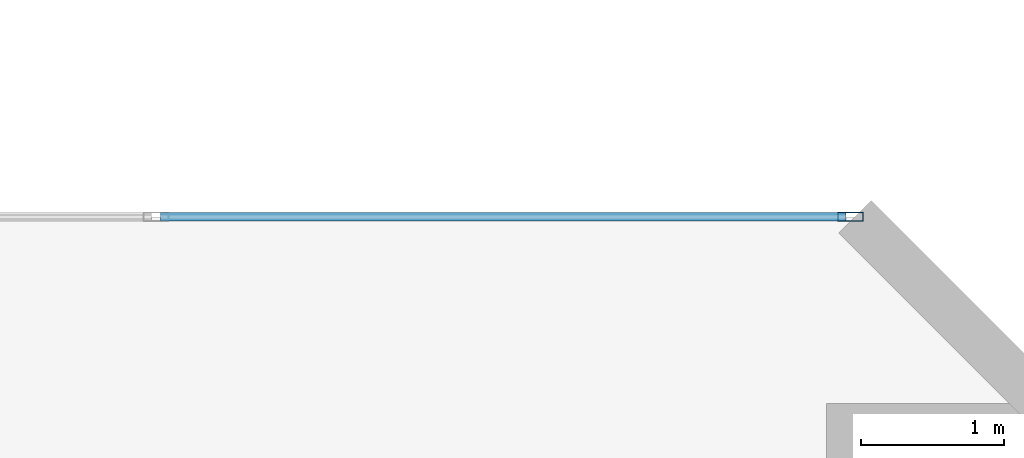
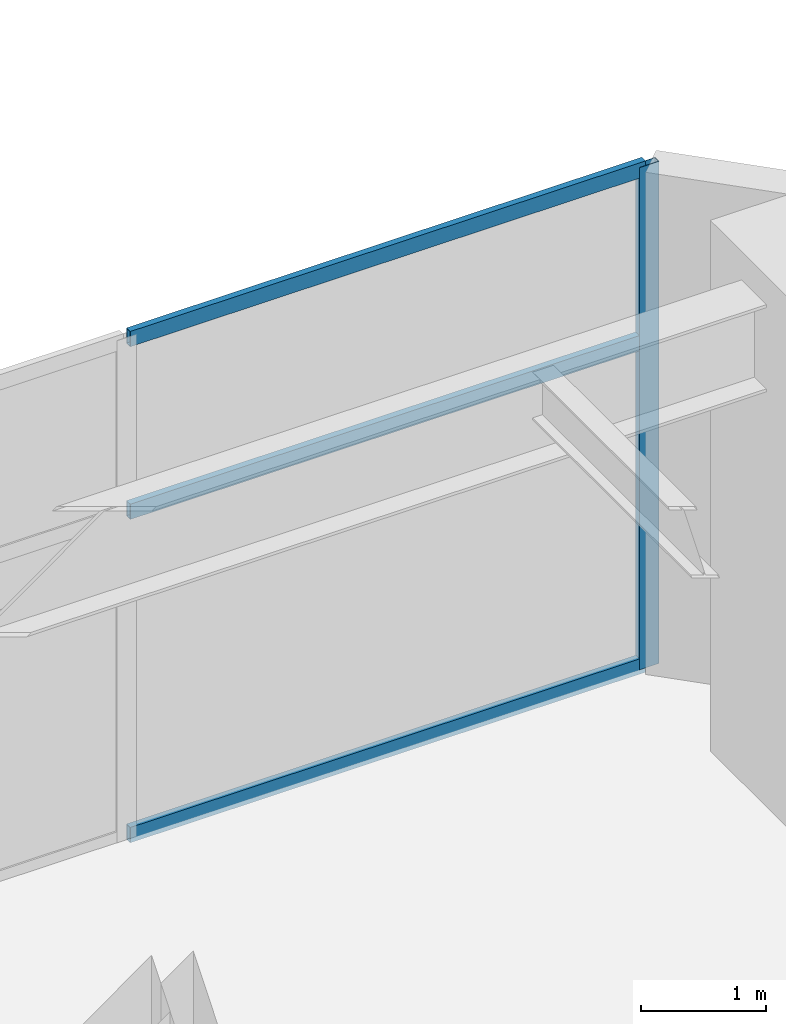
# One storey, part 11 of 22: 4 members, 1 element without a shape of its own.
"""IFC4 building model written with IfcOpenShell, lengths in metres."""

from ifc_helpers import new_model, si_unit, direction, frame, origin, origin_2d, place, context, subcontext, project, spatial, hollow_rectangle, extrude, material, layer, layer_set, material_profile, profile_set, type_object, element, aggregate, save


model = new_model("IFC4")

# Units and contexts
model_context = context("Model", 3, precision=1e-05, world=origin(), true_north=direction((0.0, 1.0)))
body_context = subcontext(model_context, "Body", "Model", "MODEL_VIEW")
ifc_project = project(units=[si_unit("LENGTHUNIT", "METRE"), si_unit("AREAUNIT", "SQUARE_METRE"), si_unit("VOLUMEUNIT", "CUBIC_METRE"), si_unit("PLANEANGLEUNIT", "RADIAN"), si_unit("MASSUNIT", "GRAM", prefix="KILO")], contexts=[model_context])

# Site, building, storey
site_placement = place(None, origin())
site = spatial("IfcSite", under=ifc_project, at=site_placement, CompositionType="ELEMENT")
building_placement = place(site_placement, origin())
building = spatial("IfcBuilding", under=site, at=building_placement, Name="Mawjaban Terraces University", CompositionType="ELEMENT")
storey_placement = place(building_placement, frame((0.0, 0.0, 5.199951171875)))
storey = spatial("IfcBuildingStorey", under=building, at=storey_placement, Name="L01", CompositionType="ELEMENT", Elevation=5.199951171875)

# Curtain wall, members
ifc_material_1 = material(Name="Anodised aluminium 6063-T6 and solar-control low-E glass", Category="aluminium")
ifc_layer = layer(ifc_material_1, 0.179931640625)
ifc_layer_set = layer_set([ifc_layer], Name="Anodised aluminium 6063-T6 and solar-control low-E glass")
curtain_wall_type = type_object("IfcCurtainWallType", Name="CWSystem_01_PlazaFoyer", PredefinedType="NOTDEFINED", material=ifc_layer_set)
curtain_wall_placement = place(storey_placement, origin())
curtain_wall = element("IfcCurtainWall", 1, at=curtain_wall_placement, inside=storey, type_object=curtain_wall_type, Name="L01 Curtain Wall CW-01 Run 5.1", PredefinedType="NOTDEFINED")
ifc_material_2 = material(Name="Anodised aluminium 6063-T6", Category="aluminium")
ifc_material_profile_1 = material_profile(ifc_material_2, hollow_rectangle(XDim=0.06494140625, YDim=0.179931640625, WallThickness=0.00390625, at=origin_2d()), Name="ALU180X65X4")
ifc_profile_set_1 = profile_set([ifc_material_profile_1], Name="Anodised aluminium 6063-T6")
member_type_1 = type_object("IfcMemberType", Name="Mullion_CW-01", PredefinedType="MULLION", material=ifc_profile_set_1)
member_1_placement = place(storey_placement, frame((73.467529296875, 32.0, 0.0), z_axis=(0.0, 0.0, 1.0), x_axis=(0.0, -1.0, 0.0)))
member_1 = element("IfcMember", 2, at=member_1_placement, type_object=member_type_1, Name="CW-01 mullion 1", PredefinedType="MULLION", context=body_context, shape_type="SweptSolid", body=[
    extrude(hollow_rectangle(XDim=0.06494140625, YDim=0.179931640625, WallThickness=0.00390625, at=origin_2d()), origin(), (0.0, 0.0, 1.0), 4.920166015625),
])
ifc_material_profile_2 = material_profile(ifc_material_2, hollow_rectangle(XDim=0.06005859375, YDim=0.14990234375, WallThickness=0.00390625, at=origin_2d()), Name="ALU150X60X4")
ifc_profile_set_2 = profile_set([ifc_material_profile_2], Name="Anodised aluminium 6063-T6")
member_type_2 = type_object("IfcMemberType", Name="Transom_CW-01", PredefinedType="NOTDEFINED", material=ifc_profile_set_2)
member_2_placement = place(storey_placement, frame((73.43505859375, 32.0, 0.030029296875), z_axis=(-1.0, 0.0, 0.0), x_axis=(0.0, -1.0, 0.0)))
member_2 = element("IfcMember", 3, at=member_2_placement, type_object=member_type_2, Name="CW-01 transom 1.1", ObjectType="TRANSOM", PredefinedType="USERDEFINED", context=body_context, shape_type="SweptSolid", body=[
    extrude(hollow_rectangle(XDim=0.06005859375, YDim=0.14990234375, WallThickness=0.00390625, at=origin_2d()), origin(), (0.0, 0.0, 1.0), 4.777587890625),
])
member_3_placement = place(storey_placement, frame((73.43505859375, 32.0, 3.197998046875), z_axis=(-1.0, 0.0, 0.0), x_axis=(0.0, -1.0, 0.0)))
member_3 = element("IfcMember", 4, at=member_3_placement, type_object=member_type_2, Name="CW-01 transom 1.2", ObjectType="TRANSOM", PredefinedType="USERDEFINED", context=body_context, shape_type="SweptSolid", body=[
    extrude(hollow_rectangle(XDim=0.06005859375, YDim=0.14990234375, WallThickness=0.00390625, at=origin_2d()), origin(), (0.0, 0.0, 1.0), 4.777587890625),
])
member_4_placement = place(storey_placement, frame((73.43505859375, 32.0, 4.89013671875), z_axis=(-1.0, 0.0, 0.0), x_axis=(0.0, -1.0, 0.0)))
member_4 = element("IfcMember", 5, at=member_4_placement, type_object=member_type_2, Name="CW-01 transom 1.3", ObjectType="TRANSOM", PredefinedType="USERDEFINED", context=body_context, shape_type="SweptSolid", body=[
    extrude(hollow_rectangle(XDim=0.06005859375, YDim=0.14990234375, WallThickness=0.00390625, at=origin_2d()), origin(), (0.0, 0.0, 1.0), 4.777587890625),
])
aggregate(curtain_wall, [member_1, member_2, member_3, member_4])

save(model, "model.ifc")
